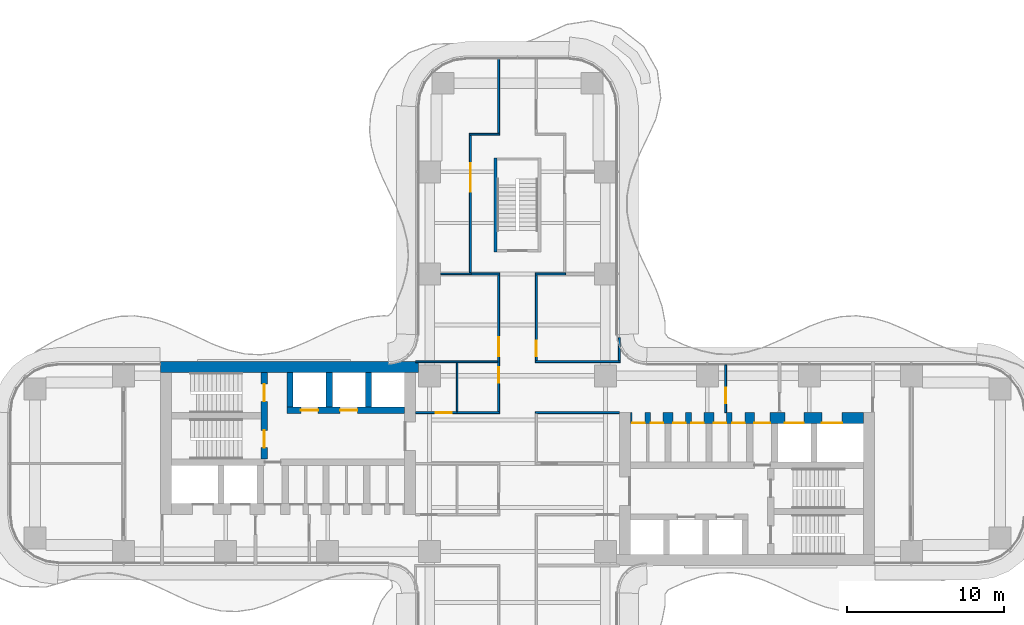
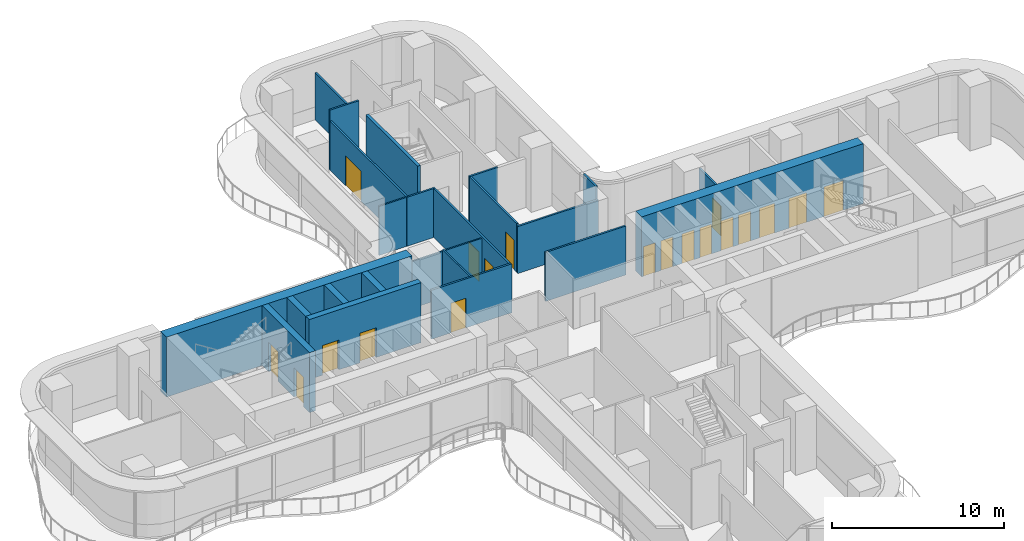
# One storey, part 19 of 22: 23 walls, 19 doors, 19 openings.
"""IFC4 building model written with IfcOpenShell, lengths in metres."""

from ifc_helpers import new_model, si_unit, direction, frame, frame_2d, origin, place, context, subcontext, project, spatial, rectangle, extrude, source, transform, mapped, material, layer, layer_set, type_object, element, fill, save


model = new_model("IFC4")

# Units and contexts
model_context = context("Model", 3, precision=1e-05, world=origin(), true_north=direction((0.0, 1.0)))
body_context = subcontext(model_context, "Body", "Model", "MODEL_VIEW")
ifc_project = project(units=[si_unit("LENGTHUNIT", "METRE"), si_unit("AREAUNIT", "SQUARE_METRE"), si_unit("VOLUMEUNIT", "CUBIC_METRE"), si_unit("PLANEANGLEUNIT", "RADIAN"), si_unit("MASSUNIT", "GRAM", prefix="KILO")], contexts=[model_context])

# Site, building, storey
site_placement = place(None, origin())
site = spatial("IfcSite", under=ifc_project, at=site_placement, CompositionType="ELEMENT")
building_placement = place(site_placement, origin())
building = spatial("IfcBuilding", under=site, at=building_placement, Name="Trellis Farm Tower", CompositionType="ELEMENT")
storey_placement = place(building_placement, frame((0.0, 0.0, 79.0)))
storey = spatial("IfcBuildingStorey", under=building, at=storey_placement, Name="L16", CompositionType="ELEMENT", Elevation=79.0)

# Walls
ifc_material_1 = material(Name="Concrete C80/95", Category="concrete")
ifc_layer_1 = layer(ifc_material_1, 0.39990234375)
ifc_layer_set_1 = layer_set([ifc_layer_1], Name="CORE INNER WALL 400 CONCRETE C80/95")
wall_type_1 = type_object("IfcWallType", Name="CORE INNER WALL 400 CONCRETE C80/95", PredefinedType="SHEAR", material=ifc_layer_set_1)
shared_shape_1 = source(origin(), body_context, "Body", "SweptSolid", [
    extrude(rectangle(XDim=2.199951171875, YDim=0.39990234375, at=frame_2d((1.10009765625, 0.0))), origin(), (0.0, 0.0, 1.0), 4.25),
])
for number, where, z_axis, x_axis, name in (
    (1, (-9.5, 5.800048828125, 0.0), (0.0, 0.0, 1.0), (0.0, -1.0, 0.0), "Core wall"),
    (2, (-12.0, 5.800048828125, 0.0), (0.0, 0.0, 1.0), (0.0, -1.0, 0.0), "Core wall"),
    (3, (-14.5, 5.800048828125, 0.0), (0.0, 0.0, 1.0), (0.0, -1.0, 0.0), "Core wall"),
):
    element("IfcWall", number, at=place(storey_placement, frame(where, z_axis=z_axis, x_axis=x_axis)), inside=storey, type_object=wall_type_1, Name=name, PredefinedType="SHEAR", context=body_context, shape_type="MappedRepresentation", body=[
        mapped(shared_shape_1, transform((0.0, 0.0, 0.0))),
    ])
ifc_layer_2 = layer(ifc_material_1, 0.699951171875)
ifc_layer_set_2 = layer_set([ifc_layer_2], Name="CORE OUTER WALL 700 CONCRETE C80/95")
wall_type_2 = type_object("IfcWallType", Name="CORE OUTER WALL 700 CONCRETE C80/95", PredefinedType="SHEAR", material=ifc_layer_set_2)
shared_shape_2 = source(origin(), body_context, "Body", "SweptSolid", [
    extrude(rectangle(XDim=16.449951171875, YDim=0.699951171875, at=frame_2d((8.22509765625, 0.0))), origin(), (0.0, 0.0, 1.0), 4.25),
])
wall_1_placement = place(storey_placement, frame((-6.300048828125, 6.14990234375, 0.0), z_axis=(0.0, 0.0, 1.0), x_axis=(-1.0, 0.0, 0.0)))
element("IfcWall", 4, at=wall_1_placement, inside=storey, type_object=wall_type_2, Name="Core wall", PredefinedType="SHEAR", context=body_context, shape_type="MappedRepresentation", body=[
    mapped(shared_shape_2, transform((0.0, 0.0, 0.0))),
])

# Wall, openings, doors
shared_shape_3 = source(origin(), body_context, "Body", "SweptSolid", [
    extrude(rectangle(XDim=14.85009765625, YDim=0.699951171875, at=frame_2d((7.425048828125, 0.0))), origin(), (0.0, 0.0, 1.0), 4.25),
])
wall_2_placement = place(storey_placement, frame((7.199951171875, 2.89990234375, 0.0), z_axis=(0.0, 0.0, 1.0), x_axis=(1.0, 0.0, 0.0)))
wall_2 = element("IfcWall", 5, at=wall_2_placement, inside=storey, type_object=wall_type_2, Name="Core wall", PredefinedType="SHEAR", context=body_context, shape_type="MappedRepresentation", body=[
    mapped(shared_shape_3, transform((0.0, 0.0, 0.0))),
])
shared_shape_4 = source(origin(), body_context, "Body", "SweptSolid", [
    extrude(rectangle(XDim=1.300048828125, YDim=2.10009765625, at=frame_2d((0.64990234375, 1.050048828125))), frame((0.0, 0.360107421875, 0.0), z_axis=(0.0, -1.0, 0.0), x_axis=(1.0, 0.0, 0.0)), (0.0, 0.0, 1.0), 0.72021484375),
])
opening_1_placement = place(wall_2_placement, frame((12.199951171875, 0.0, 0.0)))
opening_1 = element("IfcOpeningElement", 6, at=opening_1_placement, cuts=wall_2, Name="Opening LD7", PredefinedType="OPENING", context=body_context, shape_type="MappedRepresentation", body=[
    mapped(shared_shape_4, transform((0.0, 0.0, 0.0))),
])
shared_shape_5 = source(origin(), body_context, "Body", "SweptSolid", [
    extrude(rectangle(XDim=1.199951171875, YDim=2.10009765625, at=frame_2d((0.60009765625, 1.050048828125))), frame((0.0, 0.360107421875, 0.0), z_axis=(0.0, -1.0, 0.0), x_axis=(1.0, 0.0, 0.0)), (0.0, 0.0, 1.0), 0.72021484375),
])
opening_2_placement = place(wall_2_placement, frame((9.85009765625, 0.0, 0.0)))
opening_2 = element("IfcOpeningElement", 7, at=opening_2_placement, cuts=wall_2, Name="Opening LD8", PredefinedType="OPENING", context=body_context, shape_type="MappedRepresentation", body=[
    mapped(shared_shape_5, transform((0.0, 0.0, 0.0))),
])
shared_shape_6 = source(origin(), body_context, "Body", "SweptSolid", [
    extrude(rectangle(XDim=1.0, YDim=2.10009765625, at=frame_2d((0.5, 1.050048828125))), frame((0.0, 0.360107421875, 0.0), z_axis=(0.0, -1.0, 0.0), x_axis=(1.0, 0.0, 0.0)), (0.0, 0.0, 1.0), 0.72021484375),
])
opening_3_placement = place(wall_2_placement, frame((7.89990234375, 0.0, 0.0)))
opening_3 = element("IfcOpeningElement", 8, at=opening_3_placement, cuts=wall_2, Name="Opening DC6", PredefinedType="OPENING", context=body_context, shape_type="MappedRepresentation", body=[
    mapped(shared_shape_6, transform((0.0, 0.0, 0.0))),
])
shared_shape_7 = source(origin(), body_context, "Body", "SweptSolid", [
    extrude(rectangle(XDim=0.800048828125, YDim=2.10009765625, at=frame_2d((0.39990234375, 1.050048828125))), frame((0.0, 0.360107421875, 0.0), z_axis=(0.0, -1.0, 0.0), x_axis=(1.0, 0.0, 0.0)), (0.0, 0.0, 1.0), 0.72021484375),
])
opening_4_placement = place(wall_2_placement, frame((0.112548828125, 0.0, 0.0)))
opening_4 = element("IfcOpeningElement", 9, at=opening_4_placement, cuts=wall_2, Name="Opening DC9", PredefinedType="OPENING", context=body_context, shape_type="MappedRepresentation", body=[
    mapped(shared_shape_7, transform((0.0, 0.0, 0.0))),
])
opening_5_placement = place(wall_2_placement, frame((1.28759765625, 0.0, 0.0)))
opening_5 = element("IfcOpeningElement", 10, at=opening_5_placement, cuts=wall_2, Name="Opening DC16", PredefinedType="OPENING", context=body_context, shape_type="MappedRepresentation", body=[
    mapped(shared_shape_7, transform((0.0, 0.0, 0.0))),
])
opening_6_placement = place(wall_2_placement, frame((2.71240234375, 0.0, 0.0)))
opening_6 = element("IfcOpeningElement", 11, at=opening_6_placement, cuts=wall_2, Name="Opening DC21", PredefinedType="OPENING", context=body_context, shape_type="MappedRepresentation", body=[
    mapped(shared_shape_7, transform((0.0, 0.0, 0.0))),
])
opening_7_placement = place(wall_2_placement, frame((3.887451171875, 0.0, 0.0)))
opening_7 = element("IfcOpeningElement", 12, at=opening_7_placement, cuts=wall_2, Name="Opening DC28", PredefinedType="OPENING", context=body_context, shape_type="MappedRepresentation", body=[
    mapped(shared_shape_7, transform((0.0, 0.0, 0.0))),
])
opening_8_placement = place(wall_2_placement, frame((5.3125, 0.0, 0.0)))
opening_8 = element("IfcOpeningElement", 13, at=opening_8_placement, cuts=wall_2, Name="Opening DC33", PredefinedType="OPENING", context=body_context, shape_type="MappedRepresentation", body=[
    mapped(shared_shape_7, transform((0.0, 0.0, 0.0))),
])
opening_9_placement = place(wall_2_placement, frame((6.487548828125, 0.0, 0.0)))
opening_9 = element("IfcOpeningElement", 14, at=opening_9_placement, cuts=wall_2, Name="Opening DC40", PredefinedType="OPENING", context=body_context, shape_type="MappedRepresentation", body=[
    mapped(shared_shape_7, transform((0.0, 0.0, 0.0))),
])
ifc_material_2 = material(Name="Steel", Category="steel")
door_type_1 = type_object("IfcDoorType", Name="CORE FIRE DOOR 1000 X 2100", OperationType="NOTDEFINED", PredefinedType="DOOR", material=ifc_material_2)
shared_shape_8 = source(origin(), body_context, "Body", "SweptSolid", [
    extrude(rectangle(XDim=1.0, YDim=2.10009765625, at=frame_2d((0.5, 1.050048828125))), frame((0.0, -0.27490234375, 0.0), z_axis=(0.0, -1.0, 0.0), x_axis=(1.0, 0.0, 0.0)), (0.0, 0.0, 1.0), 0.050048828125),
])
door_1_placement = place(opening_3_placement, origin())
door_1 = element("IfcDoor", 15, at=door_1_placement, inside=storey, type_object=door_type_1, Name="Core door", OperationType="SINGLE_SWING_LEFT", OverallHeight=2.10009765625, OverallWidth=1.0, PredefinedType="DOOR", context=body_context, shape_type="MappedRepresentation", body=[
    mapped(shared_shape_8, transform((0.0, 0.0, 0.0))),
])
fill(opening_3, door_1)
ifc_material_3 = material(Name="Stainless steel", Category="steel")
door_type_2 = type_object("IfcDoorType", Name="LIFT LANDING DOOR 1300 X 2100", OperationType="DOUBLE_DOOR_SLIDING", PredefinedType="DOOR", material=ifc_material_3)
shared_shape_9 = source(origin(), body_context, "Body", "SweptSolid", [
    extrude(rectangle(XDim=1.300048828125, YDim=2.10009765625, at=frame_2d((0.64990234375, 1.050048828125))), frame((0.0, -0.27490234375, 0.0), z_axis=(0.0, -1.0, 0.0), x_axis=(1.0, 0.0, 0.0)), (0.0, 0.0, 1.0), 0.050048828125),
])
door_2_placement = place(opening_1_placement, origin())
door_2 = element("IfcDoor", 16, at=door_2_placement, inside=storey, type_object=door_type_2, Name="Lift landing door", OperationType="DOUBLE_DOOR_SLIDING", OverallHeight=2.10009765625, OverallWidth=1.300048828125, PredefinedType="DOOR", context=body_context, shape_type="MappedRepresentation", body=[
    mapped(shared_shape_9, transform((0.0, 0.0, 0.0))),
])
fill(opening_1, door_2)
door_type_3 = type_object("IfcDoorType", Name="LIFT LANDING DOOR 1200 X 2100", OperationType="DOUBLE_DOOR_SLIDING", PredefinedType="DOOR", material=ifc_material_3)
shared_shape_10 = source(origin(), body_context, "Body", "SweptSolid", [
    extrude(rectangle(XDim=1.199951171875, YDim=2.10009765625, at=frame_2d((0.60009765625, 1.050048828125))), frame((0.0, -0.27490234375, 0.0), z_axis=(0.0, -1.0, 0.0), x_axis=(1.0, 0.0, 0.0)), (0.0, 0.0, 1.0), 0.050048828125),
])
door_3_placement = place(opening_2_placement, origin())
door_3 = element("IfcDoor", 17, at=door_3_placement, inside=storey, type_object=door_type_3, Name="Lift landing door", OperationType="DOUBLE_DOOR_SLIDING", OverallHeight=2.10009765625, OverallWidth=1.199951171875, PredefinedType="DOOR", context=body_context, shape_type="MappedRepresentation", body=[
    mapped(shared_shape_10, transform((0.0, 0.0, 0.0))),
])
fill(opening_2, door_3)
door_type_4 = type_object("IfcDoorType", Name="CORE FIRE DOOR 800 X 2100", OperationType="NOTDEFINED", PredefinedType="DOOR", material=ifc_material_2)
shared_shape_11 = source(origin(), body_context, "Body", "SweptSolid", [
    extrude(rectangle(XDim=0.800048828125, YDim=2.10009765625, at=frame_2d((0.39990234375, 1.050048828125))), frame((0.0, -0.27490234375, 0.0), z_axis=(0.0, -1.0, 0.0), x_axis=(1.0, 0.0, 0.0)), (0.0, 0.0, 1.0), 0.050048828125),
])
door_4_placement = place(opening_4_placement, origin())
door_4 = element("IfcDoor", 18, at=door_4_placement, inside=storey, type_object=door_type_4, Name="Core door", OperationType="SINGLE_SWING_LEFT", OverallHeight=2.10009765625, OverallWidth=0.800048828125, PredefinedType="DOOR", context=body_context, shape_type="MappedRepresentation", body=[
    mapped(shared_shape_11, transform((0.0, 0.0, 0.0))),
])
fill(opening_4, door_4)
door_5_placement = place(opening_5_placement, origin())
door_5 = element("IfcDoor", 19, at=door_5_placement, inside=storey, type_object=door_type_4, Name="Core door", OperationType="SINGLE_SWING_RIGHT", OverallHeight=2.10009765625, OverallWidth=0.800048828125, PredefinedType="DOOR", context=body_context, shape_type="MappedRepresentation", body=[
    mapped(shared_shape_11, transform((0.0, 0.0, 0.0))),
])
fill(opening_5, door_5)
door_6_placement = place(opening_6_placement, origin())
door_6 = element("IfcDoor", 20, at=door_6_placement, inside=storey, type_object=door_type_4, Name="Core door", OperationType="SINGLE_SWING_LEFT", OverallHeight=2.10009765625, OverallWidth=0.800048828125, PredefinedType="DOOR", context=body_context, shape_type="MappedRepresentation", body=[
    mapped(shared_shape_11, transform((0.0, 0.0, 0.0))),
])
fill(opening_6, door_6)
door_7_placement = place(opening_7_placement, origin())
door_7 = element("IfcDoor", 21, at=door_7_placement, inside=storey, type_object=door_type_4, Name="Core door", OperationType="SINGLE_SWING_RIGHT", OverallHeight=2.10009765625, OverallWidth=0.800048828125, PredefinedType="DOOR", context=body_context, shape_type="MappedRepresentation", body=[
    mapped(shared_shape_11, transform((0.0, 0.0, 0.0))),
])
fill(opening_7, door_7)
door_8_placement = place(opening_8_placement, origin())
door_8 = element("IfcDoor", 22, at=door_8_placement, inside=storey, type_object=door_type_4, Name="Core door", OperationType="SINGLE_SWING_LEFT", OverallHeight=2.10009765625, OverallWidth=0.800048828125, PredefinedType="DOOR", context=body_context, shape_type="MappedRepresentation", body=[
    mapped(shared_shape_11, transform((0.0, 0.0, 0.0))),
])
fill(opening_8, door_8)
door_9_placement = place(opening_9_placement, origin())
door_9 = element("IfcDoor", 23, at=door_9_placement, inside=storey, type_object=door_type_4, Name="Core door", OperationType="SINGLE_SWING_RIGHT", OverallHeight=2.10009765625, OverallWidth=0.800048828125, PredefinedType="DOOR", context=body_context, shape_type="MappedRepresentation", body=[
    mapped(shared_shape_11, transform((0.0, 0.0, 0.0))),
])
fill(opening_9, door_9)

shared_shape_12 = source(origin(), body_context, "Body", "SweptSolid", [
    extrude(rectangle(XDim=7.5, YDim=0.39990234375, at=frame_2d((3.75, 0.0))), origin(), (0.0, 0.0, 1.0), 4.25),
])
wall_3_placement = place(storey_placement, frame((-7.199951171875, 3.39990234375, 0.0), z_axis=(0.0, 0.0, 1.0), x_axis=(-1.0, 0.0, 0.0)))
wall_3 = element("IfcWall", 24, at=wall_3_placement, inside=storey, type_object=wall_type_1, Name="Core wall", PredefinedType="SHEAR", context=body_context, shape_type="MappedRepresentation", body=[
    mapped(shared_shape_12, transform((0.0, 0.0, 0.0))),
])
shared_shape_13 = source(origin(), body_context, "Body", "SweptSolid", [
    extrude(rectangle(XDim=1.10009765625, YDim=2.10009765625, at=frame_2d((0.550048828125, 1.050048828125))), frame((0.0, 0.2099609375, 0.0), z_axis=(0.0, -1.0, 0.0), x_axis=(1.0, 0.0, 0.0)), (0.0, 0.0, 1.0), 0.419921875),
])
opening_10_placement = place(wall_3_placement, frame((3.0, 0.0, 0.0)))
opening_10 = element("IfcOpeningElement", 25, at=opening_10_placement, cuts=wall_3, Name="Opening LD10", PredefinedType="OPENING", context=body_context, shape_type="MappedRepresentation", body=[
    mapped(shared_shape_13, transform((0.0, 0.0, 0.0))),
])
opening_11_placement = place(wall_3_placement, frame((5.5, 0.0, 0.0)))
opening_11 = element("IfcOpeningElement", 26, at=opening_11_placement, cuts=wall_3, Name="Opening LD11", PredefinedType="OPENING", context=body_context, shape_type="MappedRepresentation", body=[
    mapped(shared_shape_13, transform((0.0, 0.0, 0.0))),
])
door_type_5 = type_object("IfcDoorType", Name="LIFT LANDING DOOR 1100 X 2100", OperationType="DOUBLE_DOOR_SLIDING", PredefinedType="DOOR", material=ifc_material_3)
shared_shape_14 = source(origin(), body_context, "Body", "SweptSolid", [
    extrude(rectangle(XDim=1.10009765625, YDim=2.10009765625, at=frame_2d((0.550048828125, 1.050048828125))), frame((0.0, 0.02490234375, 0.0), z_axis=(0.0, -1.0, 0.0), x_axis=(1.0, 0.0, 0.0)), (0.0, 0.0, 1.0), 0.050048828125),
])
door_10_placement = place(opening_10_placement, origin())
door_10 = element("IfcDoor", 27, at=door_10_placement, inside=storey, type_object=door_type_5, Name="Lift landing door", OperationType="DOUBLE_DOOR_SLIDING", OverallHeight=2.10009765625, OverallWidth=1.10009765625, PredefinedType="DOOR", context=body_context, shape_type="MappedRepresentation", body=[
    mapped(shared_shape_14, transform((0.0, 0.0, 0.0))),
])
fill(opening_10, door_10)
door_11_placement = place(opening_11_placement, origin())
door_11 = element("IfcDoor", 28, at=door_11_placement, inside=storey, type_object=door_type_5, Name="Lift landing door", OperationType="DOUBLE_DOOR_SLIDING", OverallHeight=2.10009765625, OverallWidth=1.10009765625, PredefinedType="DOOR", context=body_context, shape_type="MappedRepresentation", body=[
    mapped(shared_shape_14, transform((0.0, 0.0, 0.0))),
])
fill(opening_11, door_11)

shared_shape_15 = source(origin(), body_context, "Body", "SweptSolid", [
    extrude(rectangle(XDim=5.5, YDim=0.39990234375, at=frame_2d((2.75, 0.0))), origin(), (0.0, 0.0, 1.0), 4.25),
])
wall_4_placement = place(storey_placement, frame((-16.14990234375, 5.800048828125, 0.0), z_axis=(0.0, 0.0, 1.0), x_axis=(0.0, -1.0, 0.0)))
wall_4 = element("IfcWall", 29, at=wall_4_placement, inside=storey, type_object=wall_type_1, Name="Core wall", PredefinedType="SHEAR", context=body_context, shape_type="MappedRepresentation", body=[
    mapped(shared_shape_15, transform((0.0, 0.0, 0.0))),
])
opening_12_placement = place(wall_4_placement, frame((0.72509765625, 0.0, 0.0)))
opening_12 = element("IfcOpeningElement", 30, at=opening_12_placement, cuts=wall_4, Name="Opening DC88", PredefinedType="OPENING", context=body_context, shape_type="MappedRepresentation", body=[
    mapped(shared_shape_13, transform((0.0, 0.0, 0.0))),
])
opening_13_placement = place(wall_4_placement, frame((3.675048828125, 0.0, 0.0)))
opening_13 = element("IfcOpeningElement", 31, at=opening_13_placement, cuts=wall_4, Name="Opening DC89", PredefinedType="OPENING", context=body_context, shape_type="MappedRepresentation", body=[
    mapped(shared_shape_13, transform((0.0, 0.0, 0.0))),
])
door_type_6 = type_object("IfcDoorType", Name="CORE FIRE DOOR 1100 X 2100", OperationType="NOTDEFINED", PredefinedType="DOOR", material=ifc_material_2)
door_12_placement = place(opening_12_placement, origin())
door_12 = element("IfcDoor", 32, at=door_12_placement, inside=storey, type_object=door_type_6, Name="Core door", OperationType="SINGLE_SWING_RIGHT", OverallHeight=2.10009765625, OverallWidth=1.10009765625, PredefinedType="DOOR", context=body_context, shape_type="MappedRepresentation", body=[
    mapped(shared_shape_14, transform((0.0, 0.0, 0.0))),
])
fill(opening_12, door_12)
door_13_placement = place(opening_13_placement, origin())
door_13 = element("IfcDoor", 33, at=door_13_placement, inside=storey, type_object=door_type_6, Name="Core door", OperationType="SINGLE_SWING_LEFT", OverallHeight=2.10009765625, OverallWidth=1.10009765625, PredefinedType="DOOR", context=body_context, shape_type="MappedRepresentation", body=[
    mapped(shared_shape_14, transform((0.0, 0.0, 0.0))),
])
fill(opening_13, door_13)

# Wall
ifc_layer_3 = layer(ifc_material_1, 0.199951171875)
ifc_layer_set_3 = layer_set([ifc_layer_3], Name="CORE STAIR ENCLOSURE WALL 200 CONCRETE C80/95")
wall_type_3 = type_object("IfcWallType", Name="CORE STAIR ENCLOSURE WALL 200 CONCRETE C80/95", PredefinedType="SHEAR", material=ifc_layer_set_3)
shared_shape_16 = source(origin(), body_context, "Body", "SweptSolid", [
    extrude(rectangle(XDim=6.0, YDim=0.199951171875, at=frame_2d((3.0, 0.0))), origin(), (0.0, 0.0, 1.0), 4.25),
])
wall_5_placement = place(storey_placement, frame((-1.39990234375, 13.5, 0.0), z_axis=(0.0, 0.0, 1.0), x_axis=(0.0, 1.0, 0.0)))
element("IfcWall", 34, at=wall_5_placement, inside=storey, type_object=wall_type_3, Name="Stair enclosure wall", PredefinedType="SHEAR", context=body_context, shape_type="MappedRepresentation", body=[
    mapped(shared_shape_16, transform((0.0, 0.0, 0.0))),
])

# Wall, opening, door
ifc_material_4 = material(Name="Plasterboard on steel studs, mineral wool", Category="steel")
ifc_layer_4 = layer(ifc_material_4, 0.125)
ifc_layer_set_4 = layer_set([ifc_layer_4], Name="PARTITION 125 STUD EI 60")
wall_type_4 = type_object("IfcWallType", Name="PARTITION 125 STUD EI 60", PredefinedType="PARTITIONING", material=ifc_layer_set_4)
shared_shape_17 = source(origin(), body_context, "Body", "SweptSolid", [
    extrude(rectangle(XDim=5.47509765625, YDim=0.125, at=frame_2d((2.737548828125, 0.0))), origin(), (0.0, 0.0, 1.0), 3.4677734375),
])
wall_6_placement = place(storey_placement, frame((1.199951171875, 12.03759765625, 0.0), z_axis=(0.0, 0.0, 1.0), x_axis=(0.0, -1.0, 0.0)))
wall_6 = element("IfcWall", 35, at=wall_6_placement, inside=storey, type_object=wall_type_4, Name="Partition PW1", PredefinedType="PARTITIONING", context=body_context, shape_type="MappedRepresentation", body=[
    mapped(shared_shape_17, transform((0.0, 0.0, 0.0))),
])
shared_shape_18 = source(origin(), body_context, "Body", "SweptSolid", [
    extrude(rectangle(XDim=1.0, YDim=2.10009765625, at=frame_2d((0.5, 1.050048828125))), frame((0.0, 0.072509765625, 0.0), z_axis=(0.0, -1.0, 0.0), x_axis=(1.0, 0.0, 0.0)), (0.0, 0.0, 1.0), 0.14501953125),
])
opening_14_placement = place(wall_6_placement, frame((4.1875, 0.0, 0.0)))
opening_14 = element("IfcOpeningElement", 36, at=opening_14_placement, cuts=wall_6, Name="Opening D305", PredefinedType="OPENING", context=body_context, shape_type="MappedRepresentation", body=[
    mapped(shared_shape_18, transform((0.0, 0.0, 0.0))),
])
ifc_material_5 = material(Name="Fire-rated timber door leaf in a hollow metal frame", Category="wood")
door_type_7 = type_object("IfcDoorType", Name="DOOR 1000x2100 FD60", OperationType="NOTDEFINED", PredefinedType="DOOR", material=ifc_material_5)
shared_shape_19 = source(origin(), body_context, "Body", "SweptSolid", [
    extrude(rectangle(XDim=1.0, YDim=2.10009765625, at=frame_2d((0.5, 1.050048828125))), frame((0.0, 0.02490234375, 0.0), z_axis=(0.0, -1.0, 0.0), x_axis=(1.0, 0.0, 0.0)), (0.0, 0.0, 1.0), 0.050048828125),
])
door_14_placement = place(opening_14_placement, origin())
door_14 = element("IfcDoor", 37, at=door_14_placement, inside=storey, type_object=door_type_7, Name="Door D305", OperationType="SINGLE_SWING_RIGHT", OverallHeight=2.10009765625, OverallWidth=1.0, PredefinedType="DOOR", context=body_context, shape_type="MappedRepresentation", body=[
    mapped(shared_shape_19, transform((0.0, 0.0, 0.0))),
])
fill(opening_14, door_14)

# Walls
shared_shape_20 = source(origin(), body_context, "Body", "SweptSolid", [
    extrude(rectangle(XDim=1.468994140625, YDim=0.125, at=frame_2d((0.734375, 0.0))), origin(), (0.0, 0.0, 1.0), 4.25),
])
wall_7_placement = place(storey_placement, frame((6.5, 6.5625, 0.0), z_axis=(0.0, 0.0, 1.0), x_axis=(0.0, 1.0, 0.0)))
element("IfcWall", 38, at=wall_7_placement, inside=storey, type_object=wall_type_4, Name="Partition PW1", PredefinedType="PARTITIONING", context=body_context, shape_type="MappedRepresentation", body=[
    mapped(shared_shape_20, transform((0.0, 0.0, 0.0))),
])
shared_shape_21 = source(origin(), body_context, "Body", "SweptSolid", [
    extrude(rectangle(XDim=1.925048828125, YDim=0.125, at=frame_2d((0.96240234375, 0.0))), origin(), (0.0, 0.0, 1.0), 3.4677734375),
])
for number, where, z_axis, x_axis, name in (
    (39, (-1.137451171875, 12.10009765625, 0.0), (0.0, 0.0, 1.0), (-1.0, 0.0, 0.0), "Partition PW1"),
    (40, (3.0625, 12.10009765625, 0.0), (0.0, 0.0, 1.0), (-1.0, 0.0, 0.0), "Partition PW1"),
):
    element("IfcWall", number, at=place(storey_placement, frame(where, z_axis=z_axis, x_axis=x_axis)), inside=storey, type_object=wall_type_4, Name=name, PredefinedType="PARTITIONING", context=body_context, shape_type="MappedRepresentation", body=[
        mapped(shared_shape_21, transform((0.0, 0.0, 0.0))),
    ])

# Wall, opening, door
shared_shape_22 = source(origin(), body_context, "Body", "SweptSolid", [
    extrude(rectangle(XDim=5.362548828125, YDim=0.125, at=frame_2d((2.68115234375, 0.0))), origin(), (0.0, 0.0, 1.0), 3.4677734375),
])
wall_8_placement = place(storey_placement, frame((-6.5, 3.25, 0.0), z_axis=(0.0, 0.0, 1.0), x_axis=(1.0, 0.0, 0.0)))
wall_8 = element("IfcWall", 41, at=wall_8_placement, inside=storey, type_object=wall_type_4, Name="Partition PW1", PredefinedType="PARTITIONING", context=body_context, shape_type="MappedRepresentation", body=[
    mapped(shared_shape_22, transform((0.0, 0.0, 0.0))),
])
opening_15_placement = place(wall_8_placement, frame((1.300048828125, 0.0, 0.0)))
opening_15 = element("IfcOpeningElement", 42, at=opening_15_placement, cuts=wall_8, Name="Opening D107", PredefinedType="OPENING", context=body_context, shape_type="MappedRepresentation", body=[
    mapped(shared_shape_18, transform((0.0, 0.0, 0.0))),
])
door_type_8 = type_object("IfcDoorType", Name="DOOR 1000x2100 FD30S", OperationType="NOTDEFINED", PredefinedType="DOOR", material=ifc_material_5)
door_15_placement = place(opening_15_placement, origin())
door_15 = element("IfcDoor", 43, at=door_15_placement, inside=storey, type_object=door_type_8, Name="Door D107", OperationType="SINGLE_SWING_RIGHT", OverallHeight=2.10009765625, OverallWidth=1.0, PredefinedType="DOOR", context=body_context, shape_type="MappedRepresentation", body=[
    mapped(shared_shape_19, transform((0.0, 0.0, 0.0))),
])
fill(opening_15, door_15)

# Walls
wall_9_placement = place(storey_placement, frame((1.137451171875, 3.25, 0.0), z_axis=(0.0, 0.0, 1.0), x_axis=(1.0, 0.0, 0.0)))
element("IfcWall", 44, at=wall_9_placement, inside=storey, type_object=wall_type_4, Name="Partition PW1", PredefinedType="PARTITIONING", context=body_context, shape_type="MappedRepresentation", body=[
    mapped(shared_shape_22, transform((0.0, 0.0, 0.0))),
])
shared_shape_23 = source(origin(), body_context, "Body", "SweptSolid", [
    extrude(rectangle(XDim=5.425048828125, YDim=0.125, at=frame_2d((2.71240234375, 0.0))), origin(), (0.0, 0.0, 1.0), 3.330078125),
])
wall_10_placement = place(storey_placement, frame((1.137451171875, 6.5, 0.0), z_axis=(0.0, 0.0, 1.0), x_axis=(1.0, 0.0, 0.0)))
element("IfcWall", 45, at=wall_10_placement, inside=storey, type_object=wall_type_4, Name="Partition PW1", PredefinedType="PARTITIONING", context=body_context, shape_type="MappedRepresentation", body=[
    mapped(shared_shape_23, transform((0.0, 0.0, 0.0))),
])

# Wall, openings, doors
shared_shape_24 = source(origin(), body_context, "Body", "SweptSolid", [
    extrude(rectangle(XDim=8.72509765625, YDim=0.125, at=frame_2d((4.362548828125, 0.0))), origin(), (0.0, 0.0, 1.0), 3.4677734375),
])
wall_11_placement = place(storey_placement, frame((-1.199951171875, 12.03759765625, 0.0), z_axis=(0.0, 0.0, 1.0), x_axis=(0.0, -1.0, 0.0)))
wall_11 = element("IfcWall", 46, at=wall_11_placement, inside=storey, type_object=wall_type_4, Name="Partition PW1", PredefinedType="PARTITIONING", context=body_context, shape_type="MappedRepresentation", body=[
    mapped(shared_shape_24, transform((0.0, 0.0, 0.0))),
])
opening_16_placement = place(wall_11_placement, frame((5.887451171875, 0.0, 0.0)))
opening_16 = element("IfcOpeningElement", 47, at=opening_16_placement, cuts=wall_11, Name="Opening D108", PredefinedType="OPENING", context=body_context, shape_type="MappedRepresentation", body=[
    mapped(shared_shape_18, transform((0.0, 0.0, 0.0))),
])
shared_shape_25 = source(origin(), body_context, "Body", "SweptSolid", [
    extrude(rectangle(XDim=1.199951171875, YDim=2.10009765625, at=frame_2d((0.60009765625, 1.050048828125))), frame((0.0, 0.072509765625, 0.0), z_axis=(0.0, -1.0, 0.0), x_axis=(1.0, 0.0, 0.0)), (0.0, 0.0, 1.0), 0.14501953125),
])
opening_17_placement = place(wall_11_placement, frame((3.987548828125, 0.0, 0.0)))
opening_17 = element("IfcOpeningElement", 48, at=opening_17_placement, cuts=wall_11, Name="Opening D603", PredefinedType="OPENING", context=body_context, shape_type="MappedRepresentation", body=[
    mapped(shared_shape_25, transform((0.0, 0.0, 0.0))),
])
door_16_placement = place(opening_16_placement, origin())
door_16 = element("IfcDoor", 49, at=door_16_placement, inside=storey, type_object=door_type_8, Name="Door D108", OperationType="SINGLE_SWING_LEFT", OverallHeight=2.10009765625, OverallWidth=1.0, PredefinedType="DOOR", context=body_context, shape_type="MappedRepresentation", body=[
    mapped(shared_shape_19, transform((0.0, 0.0, 0.0))),
])
fill(opening_16, door_16)
door_type_9 = type_object("IfcDoorType", Name="DOOR 1200x2100 FD30S", OperationType="NOTDEFINED", PredefinedType="DOOR", material=ifc_material_5)
shared_shape_26 = source(origin(), body_context, "Body", "SweptSolid", [
    extrude(rectangle(XDim=1.199951171875, YDim=2.10009765625, at=frame_2d((0.60009765625, 1.050048828125))), frame((0.0, 0.02490234375, 0.0), z_axis=(0.0, -1.0, 0.0), x_axis=(1.0, 0.0, 0.0)), (0.0, 0.0, 1.0), 0.050048828125),
])
door_17_placement = place(opening_17_placement, origin())
door_17 = element("IfcDoor", 50, at=door_17_placement, inside=storey, type_object=door_type_9, Name="Door D603", OperationType="SINGLE_SWING_RIGHT", OverallHeight=2.10009765625, OverallWidth=1.199951171875, PredefinedType="DOOR", context=body_context, shape_type="MappedRepresentation", body=[
    mapped(shared_shape_26, transform((0.0, 0.0, 0.0))),
])
fill(opening_17, door_17)

# Walls
ifc_material_6 = material(Name="Plasterboard on steel studs", Category="steel")
ifc_layer_5 = layer(ifc_material_6, 0.10009765625)
ifc_layer_set_5 = layer_set([ifc_layer_5], Name="PARTITION 100 STUD EI 30")
wall_type_5 = type_object("IfcWallType", Name="PARTITION 100 STUD EI 30", PredefinedType="PARTITIONING", material=ifc_layer_set_5)
shared_shape_27 = source(origin(), body_context, "Body", "SweptSolid", [
    extrude(rectangle(XDim=1.96240234375, YDim=0.10009765625, at=frame_2d((0.981201171875, 0.0))), origin(), (0.0, 0.0, 1.0), 3.4677734375),
])
wall_12_placement = place(storey_placement, frame((-4.89990234375, 12.10009765625, 0.0), z_axis=(0.0, 0.0, 1.0), x_axis=(1.0, 0.0, 0.0)))
element("IfcWall", 51, at=wall_12_placement, inside=storey, type_object=wall_type_5, Name="Partition PW2", PredefinedType="PARTITIONING", context=body_context, shape_type="MappedRepresentation", body=[
    mapped(shared_shape_27, transform((0.0, 0.0, 0.0))),
])
shared_shape_28 = source(origin(), body_context, "Body", "SweptSolid", [
    extrude(rectangle(XDim=1.925048828125, YDim=0.125, at=frame_2d((0.96240234375, 0.0))), origin(), (0.0, 0.0, 1.0), 4.25),
])
wall_13_placement = place(storey_placement, frame((-3.0625, 21.0, 0.0), z_axis=(0.0, 0.0, 1.0), x_axis=(1.0, 0.0, 0.0)))
element("IfcWall", 52, at=wall_13_placement, inside=storey, type_object=wall_type_4, Name="Partition PW1", PredefinedType="PARTITIONING", context=body_context, shape_type="MappedRepresentation", body=[
    mapped(shared_shape_28, transform((0.0, 0.0, 0.0))),
])
shared_shape_29 = source(origin(), body_context, "Body", "SweptSolid", [
    extrude(rectangle(XDim=5.237548828125, YDim=0.10009765625, at=frame_2d((2.61865234375, 0.0))), origin(), (0.0, 0.0, 1.0), 3.330078125),
])
wall_14_placement = place(storey_placement, frame((-6.5, 6.5, 0.0), z_axis=(0.0, 0.0, 1.0), x_axis=(1.0, 0.0, 0.0)))
element("IfcWall", 53, at=wall_14_placement, inside=storey, type_object=wall_type_5, Name="Partition PW2", PredefinedType="PARTITIONING", context=body_context, shape_type="MappedRepresentation", body=[
    mapped(shared_shape_29, transform((0.0, 0.0, 0.0))),
])

# Wall, opening, door
shared_shape_30 = source(origin(), body_context, "Body", "SweptSolid", [
    extrude(rectangle(XDim=8.78759765625, YDim=0.125, at=frame_2d((4.393798828125, 0.0))), origin(), (0.0, 0.0, 1.0), 3.4677734375),
])
wall_15_placement = place(storey_placement, frame((-3.0, 12.14990234375, 0.0), z_axis=(0.0, 0.0, 1.0), x_axis=(0.0, 1.0, 0.0)))
wall_15 = element("IfcWall", 54, at=wall_15_placement, inside=storey, type_object=wall_type_4, Name="Partition PW1", PredefinedType="PARTITIONING", context=body_context, shape_type="MappedRepresentation", body=[
    mapped(shared_shape_30, transform((0.0, 0.0, 0.0))),
])
shared_shape_31 = source(origin(), body_context, "Body", "SweptSolid", [
    extrude(rectangle(XDim=1.800048828125, YDim=2.10009765625, at=frame_2d((0.89990234375, 1.050048828125))), frame((0.0, 0.072509765625, 0.0), z_axis=(0.0, -1.0, 0.0), x_axis=(1.0, 0.0, 0.0)), (0.0, 0.0, 1.0), 0.14501953125),
])
opening_18_placement = place(wall_15_placement, frame((5.199951171875, 0.0, 0.0)))
opening_18 = element("IfcOpeningElement", 55, at=opening_18_placement, cuts=wall_15, Name="Opening D202", PredefinedType="OPENING", context=body_context, shape_type="MappedRepresentation", body=[
    mapped(shared_shape_31, transform((0.0, 0.0, 0.0))),
])
door_type_10 = type_object("IfcDoorType", Name="DOOR PAIR 1800x2100 FD30S", OperationType="NOTDEFINED", PredefinedType="DOOR", material=ifc_material_5)
shared_shape_32 = source(origin(), body_context, "Body", "SweptSolid", [
    extrude(rectangle(XDim=1.800048828125, YDim=2.10009765625, at=frame_2d((0.89990234375, 1.050048828125))), frame((0.0, 0.02490234375, 0.0), z_axis=(0.0, -1.0, 0.0), x_axis=(1.0, 0.0, 0.0)), (0.0, 0.0, 1.0), 0.050048828125),
])
door_18_placement = place(opening_18_placement, origin())
door_18 = element("IfcDoor", 56, at=door_18_placement, inside=storey, type_object=door_type_10, Name="Door D202", OperationType="DOUBLE_DOOR_SINGLE_SWING", OverallHeight=2.10009765625, OverallWidth=1.800048828125, PredefinedType="DOOR", context=body_context, shape_type="MappedRepresentation", body=[
    mapped(shared_shape_32, transform((0.0, 0.0, 0.0))),
])
fill(opening_18, door_18)

shared_shape_33 = source(origin(), body_context, "Body", "SweptSolid", [
    extrude(rectangle(XDim=3.050048828125, YDim=0.125, at=frame_2d((1.52490234375, 0.0))), origin(), (0.0, 0.0, 1.0), 3.330078125),
])
wall_16_placement = place(storey_placement, frame((13.26708984375, 3.25, 0.0), z_axis=(0.0, 0.0, 1.0), x_axis=(0.0, 1.0, 0.0)))
wall_16 = element("IfcWall", 57, at=wall_16_placement, inside=storey, type_object=wall_type_4, Name="Partition PW1", PredefinedType="PARTITIONING", context=body_context, shape_type="MappedRepresentation", body=[
    mapped(shared_shape_33, transform((0.0, 0.0, 0.0))),
])
opening_19_placement = place(wall_16_placement, frame((0.60009765625, 0.0, 0.0)))
opening_19 = element("IfcOpeningElement", 58, at=opening_19_placement, cuts=wall_16, Name="Opening D304", PredefinedType="OPENING", context=body_context, shape_type="MappedRepresentation", body=[
    mapped(shared_shape_18, transform((0.0, 0.0, 0.0))),
])
door_19_placement = place(opening_19_placement, origin())
door_19 = element("IfcDoor", 59, at=door_19_placement, inside=storey, type_object=door_type_7, Name="Door D304", OperationType="SINGLE_SWING_LEFT", OverallHeight=2.10009765625, OverallWidth=1.0, PredefinedType="DOOR", context=body_context, shape_type="MappedRepresentation", body=[
    mapped(shared_shape_19, transform((0.0, 0.0, 0.0))),
])
fill(opening_19, door_19)

# Walls
shared_shape_34 = source(origin(), body_context, "Body", "SweptSolid", [
    extrude(rectangle(XDim=3.137451171875, YDim=0.10009765625, at=frame_2d((1.56884765625, 0.0))), origin(), (0.0, 0.0, 1.0), 3.4677734375),
])
wall_17_placement = place(storey_placement, frame((-3.85009765625, 3.3125, 0.0), z_axis=(0.0, 0.0, 1.0), x_axis=(0.0, 1.0, 0.0)))
element("IfcWall", 60, at=wall_17_placement, inside=storey, type_object=wall_type_5, Name="Partition PW2", PredefinedType="PARTITIONING", context=body_context, shape_type="MappedRepresentation", body=[
    mapped(shared_shape_34, transform((0.0, 0.0, 0.0))),
])
shared_shape_35 = source(origin(), body_context, "Body", "SweptSolid", [
    extrude(rectangle(XDim=4.737548828125, YDim=0.125, at=frame_2d((2.36865234375, 0.0))), origin(), (0.0, 0.0, 1.0), 3.330078125),
])
wall_18_placement = place(storey_placement, frame((-1.199951171875, 25.800048828125, 0.0), z_axis=(0.0, 0.0, 1.0), x_axis=(0.0, -1.0, 0.0)))
element("IfcWall", 61, at=wall_18_placement, inside=storey, type_object=wall_type_4, Name="Partition PW1", PredefinedType="PARTITIONING", context=body_context, shape_type="MappedRepresentation", body=[
    mapped(shared_shape_35, transform((0.0, 0.0, 0.0))),
])

save(model, "model.ifc")
